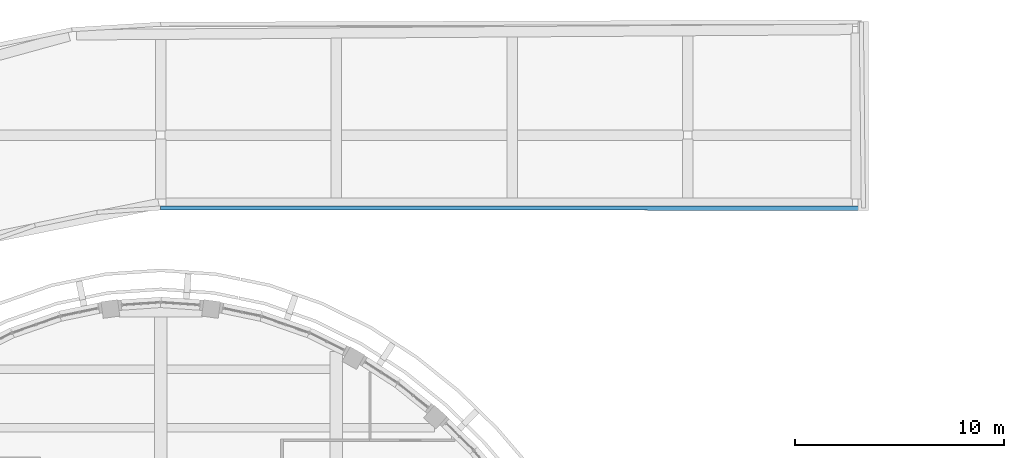
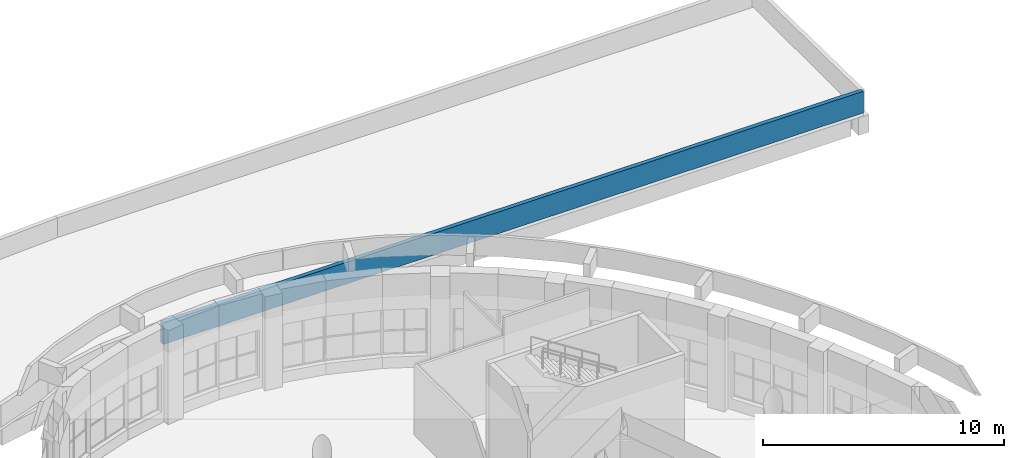
# One storey, part 39 of 79: 1 wall.
"""IFC4 building model written with IfcOpenShell, lengths in metres."""

from ifc_helpers import new_model, si_unit, direction, frame, frame_2d, origin, place, context, subcontext, project, spatial, rectangle, extrude, material, layer, layer_set, type_object, element, save


model = new_model("IFC4")

# Units and contexts
model_context = context("Model", 3, precision=1e-05, world=origin(), true_north=direction((0.0, 1.0)))
body_context = subcontext(model_context, "Body", "Model", "MODEL_VIEW")
ifc_project = project(units=[si_unit("LENGTHUNIT", "METRE"), si_unit("AREAUNIT", "SQUARE_METRE"), si_unit("VOLUMEUNIT", "CUBIC_METRE"), si_unit("PLANEANGLEUNIT", "RADIAN"), si_unit("MASSUNIT", "GRAM", prefix="KILO")], contexts=[model_context])

# Site, building, storey
site_placement = place(None, origin())
site = spatial("IfcSite", under=ifc_project, at=site_placement, CompositionType="ELEMENT")
building_placement = place(site_placement, origin())
building = spatial("IfcBuilding", under=site, at=building_placement, Name="Larchfold Concert Hall", CompositionType="ELEMENT")
storey_placement = place(building_placement, frame((0.0, 0.0, 14.39990234375)))
storey = spatial("IfcBuildingStorey", under=building, at=storey_placement, Name="L03", CompositionType="ELEMENT", Elevation=14.39990234375)

# Wall
ifc_material = material(Name="White render on insulated block")
ifc_layer = layer(ifc_material, 0.199951171875)
ifc_layer_set = layer_set([ifc_layer], Name="White render on insulated block")
wall_type = type_object("IfcWallType", Name="Roof parapet 200", PredefinedType="PARAPET", material=ifc_layer_set)
wall_placement = place(storey_placement, frame((42.59326171875, 123.1103515625, 0.0), z_axis=(0.0, 0.0, 1.0), x_axis=(0.999999953452, -0.000305115021, 0.0)))
element("IfcWall", 1, at=wall_placement, inside=storey, type_object=wall_type, Name="Parapet PW0040", PredefinedType="PARAPET", context=body_context, shape_type="SweptSolid", body=[
    extrude(rectangle(XDim=33.606689453125, YDim=0.199951171875, at=frame_2d((16.80322265625, 0.0))), origin(), (0.0, 0.0, 1.0), 1.10009765625),
])

save(model, "model.ifc")
